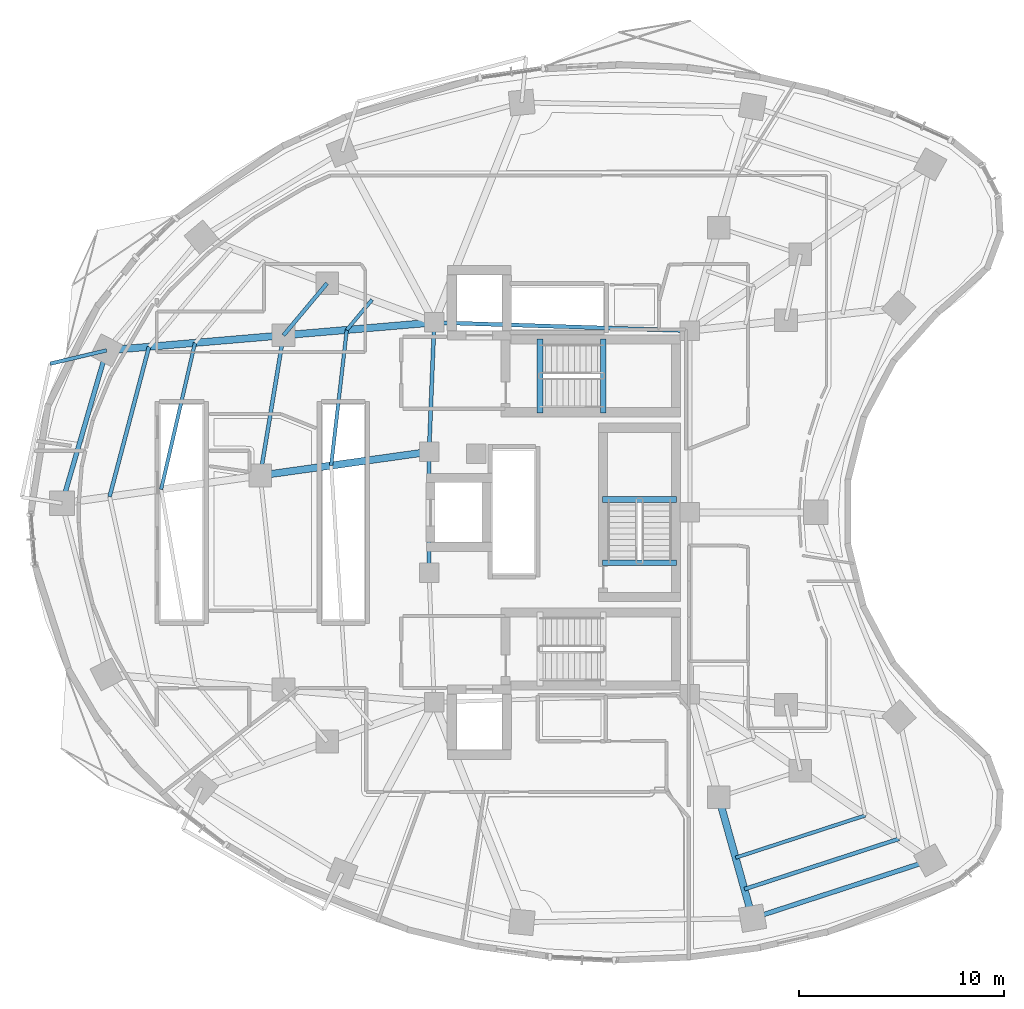
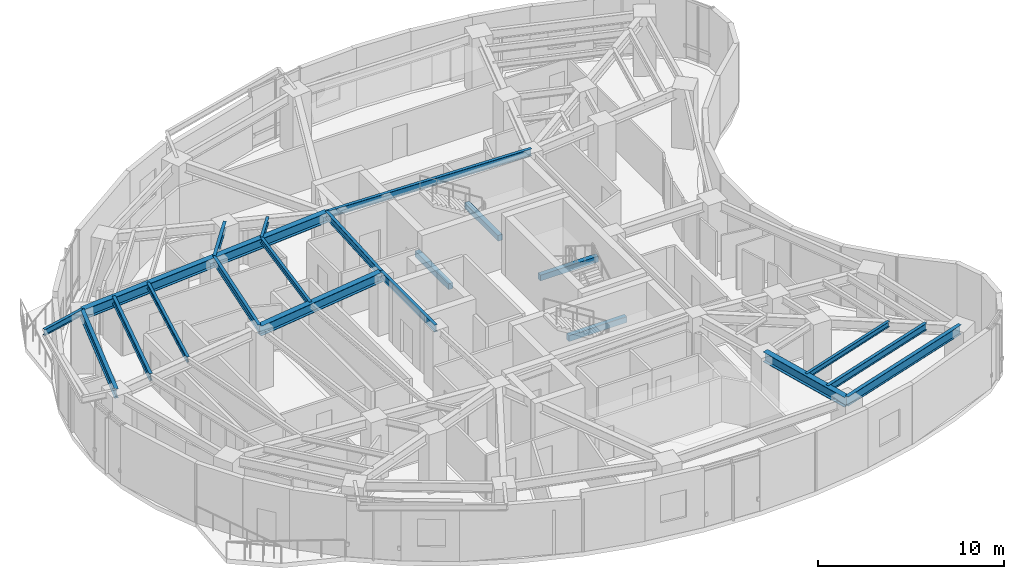
# One storey, part 3 of 15: 22 beams.
"""IFC4 building model written with IfcOpenShell, lengths in metres."""

from ifc_helpers import new_model, si_unit, direction, frame, origin, origin_2d, place, context, subcontext, project, spatial, rectangle, i_section, extrude, material, material_profile, profile_set, type_object, element, save


model = new_model("IFC4")

# Units and contexts
model_context = context("Model", 3, precision=1e-05, world=origin(), true_north=direction((0.0, 1.0)))
body_context = subcontext(model_context, "Body", "Model", "MODEL_VIEW")
ifc_project = project(units=[si_unit("LENGTHUNIT", "METRE"), si_unit("AREAUNIT", "SQUARE_METRE"), si_unit("VOLUMEUNIT", "CUBIC_METRE"), si_unit("PLANEANGLEUNIT", "RADIAN"), si_unit("MASSUNIT", "GRAM", prefix="KILO")], contexts=[model_context])

# Site, building, storey
site_placement = place(None, origin())
site = spatial("IfcSite", under=ifc_project, at=site_placement, CompositionType="ELEMENT")
building_placement = place(site_placement, origin())
building = spatial("IfcBuilding", under=site, at=building_placement, Name="Korentha Bioscience Tower", CompositionType="ELEMENT")
storey_placement = place(building_placement, frame((0.0, 0.0, 115.199951171875)))
storey = spatial("IfcBuildingStorey", under=building, at=storey_placement, Name="L26", CompositionType="ELEMENT", Elevation=115.199951171875)

# Beams
ifc_material_1 = material(Name="Concrete C50", Category="concrete")
ifc_material_profile_1 = material_profile(ifc_material_1, rectangle(XDim=0.280029296875, YDim=0.3798828125, at=origin_2d()), Name="Concrete C50")
ifc_profile_set_1 = profile_set([ifc_material_profile_1], Name="Concrete C50 (ST-HB380)")
beam_type_1 = type_object("IfcBeamType", Name="Concrete Stair Header Beam RC 280x380", PredefinedType="BEAM", material=ifc_profile_set_1)
for number, where, z_axis, x_axis, name in (
    (1, (30.25, 31.85009765625, -0.18994140625), (0.0, 1.0, 0.0), (-1.0, 0.0, 0.0), "L26 ST-1 Concrete Stair Header Beam"),
    (2, (33.330078125, 31.85009765625, 1.91015625), (0.0, 1.0, 0.0), (-1.0, 0.0, 0.0), "L26 ST-1 Half-Landing Header Beam 1"),
    (3, (36.89990234375, 24.550048828125, -0.18994140625), (-1.0, 0.0, 0.0), (0.0, -1.0, 0.0), "L26 ST-3 Concrete Stair Header Beam"),
    (4, (36.89990234375, 27.6298828125, 1.91015625), (-1.0, 0.0, 0.0), (0.0, -1.0, 0.0), "L26 ST-3 Half-Landing Header Beam 1"),
):
    element("IfcBeam", number, at=place(storey_placement, frame(where, z_axis=z_axis, x_axis=x_axis)), inside=storey, type_object=beam_type_1, Name=name, PredefinedType="BEAM", context=body_context, shape_type="SweptSolid", body=[
        extrude(rectangle(XDim=0.280029296875, YDim=0.3798828125, at=origin_2d()), origin(), (0.0, 0.0, 1.0), 3.599853515625),
    ])
ifc_material_2 = material(Name="Steel S355", Category="steel")
ifc_material_profile_2 = material_profile(ifc_material_2, i_section(OverallWidth=0.18994140625, OverallDepth=0.45703125, WebThickness=0.009033203125, FlangeThickness=0.014404296875, at=origin_2d()), Name="Steel S355")
ifc_profile_set_2 = profile_set([ifc_material_profile_2], Name="Steel S355 (MB-460)")
beam_type_2 = type_object("IfcBeamType", Name="Mid-Ring Tie Girder W460x74", PredefinedType="BEAM", material=ifc_profile_set_2)
beam_1_placement = place(storey_placement, frame((19.882568359375, 38.158935546875, 3.671630859375), z_axis=(-0.642121371708, -0.766602989817, 0.0), x_axis=(0.766602989817, -0.642121371708, 0.0)))
element("IfcBeam", 5, at=beam_1_placement, inside=storey, type_object=beam_type_2, Name="L26 Mid-Ring Tie Girder 05", PredefinedType="BEAM", context=body_context, shape_type="SweptSolid", body=[
    extrude(i_section(OverallWidth=0.18994140625, OverallDepth=0.45703125, WebThickness=0.009033203125, FlangeThickness=0.014404296875, at=origin_2d()), origin(), (0.0, 0.0, 1.0), 3.306640625),
])
beam_2_placement = place(storey_placement, frame((17.75927734375, 35.6240234375, 3.671630859375), z_axis=(-0.163580878592, -0.986529926641, 0.0), x_axis=(0.986529926641, -0.163580878592, 0.0)))
element("IfcBeam", 6, at=beam_2_placement, inside=storey, type_object=beam_type_2, Name="L26 Mid-Ring Tie Girder 06", PredefinedType="BEAM", context=body_context, shape_type="SweptSolid", body=[
    extrude(i_section(OverallWidth=0.18994140625, OverallDepth=0.45703125, WebThickness=0.009033203125, FlangeThickness=0.014404296875, at=origin_2d()), origin(), (0.0, 0.0, 1.0), 6.920654296875),
])
beam_3_placement = place(storey_placement, frame((37.550048828125, 35.85009765625, 3.671630859375), z_axis=(-0.999484526071, 0.032104238723, 0.0), x_axis=(-0.032104238723, -0.999484526071, 0.0)))
element("IfcBeam", 7, at=beam_3_placement, inside=storey, type_object=beam_type_2, Name="L26 Core Ring Tie Girder 01", PredefinedType="BEAM", context=body_context, shape_type="SweptSolid", body=[
    extrude(i_section(OverallWidth=0.18994140625, OverallDepth=0.45703125, WebThickness=0.009033203125, FlangeThickness=0.014404296875, at=origin_2d()), origin(), (0.0, 0.0, 1.0), 12.456298828125),
])
beam_4_placement = place(storey_placement, frame((25.10009765625, 36.25, 3.671630859375), z_axis=(-0.039651025576, -0.999213588864, 0.0), x_axis=(0.999213588864, -0.039651025576, 0.0)))
element("IfcBeam", 8, at=beam_4_placement, inside=storey, type_object=beam_type_2, Name="L26 Core Ring Tie Girder 02", PredefinedType="BEAM", context=body_context, shape_type="SweptSolid", body=[
    extrude(i_section(OverallWidth=0.18994140625, OverallDepth=0.45703125, WebThickness=0.009033203125, FlangeThickness=0.014404296875, at=origin_2d()), origin(), (0.0, 0.0, 1.0), 6.304931640625),
])
beam_5_placement = place(storey_placement, frame((24.85009765625, 29.949951171875, 3.671630859375), z_axis=(0.0, -1.0, 0.0), x_axis=(1.0, 0.0, 0.0)))
element("IfcBeam", 9, at=beam_5_placement, inside=storey, type_object=beam_type_2, Name="L26 Core Ring Tie Girder 03", PredefinedType="BEAM", context=body_context, shape_type="SweptSolid", body=[
    extrude(i_section(OverallWidth=0.18994140625, OverallDepth=0.45703125, WebThickness=0.009033203125, FlangeThickness=0.014404296875, at=origin_2d()), origin(), (0.0, 0.0, 1.0), 5.89990234375),
])
ifc_material_profile_3 = material_profile(ifc_material_2, i_section(OverallWidth=0.22802734375, OverallDepth=0.60791015625, WebThickness=0.01123046875, FlangeThickness=0.017333984375, at=origin_2d()), Name="Steel S355")
ifc_profile_set_3 = profile_set([ifc_material_profile_3], Name="Steel S355 (SB-610)")
beam_type_3 = type_object("IfcBeamType", Name="Perimeter Ring Spandrel Girder W610x113", PredefinedType="SPANDREL", material=ifc_profile_set_3)
beam_6_placement = place(storey_placement, frame((9.141845703125, 34.889404296875, 3.595947265625), z_axis=(-0.279486251653, -0.960149694129, 0.0), x_axis=(0.960149694129, -0.279486251653, 0.0)))
element("IfcBeam", 10, at=beam_6_placement, inside=storey, type_object=beam_type_3, Name="L26 Perimeter Spandrel Girder 06", PredefinedType="SPANDREL", context=body_context, shape_type="SweptSolid", body=[
    extrude(i_section(OverallWidth=0.22802734375, OverallDepth=0.60791015625, WebThickness=0.01123046875, FlangeThickness=0.017333984375, at=origin_2d()), origin(), (0.0, 0.0, 1.0), 7.756103515625),
])
beam_7_placement = place(storey_placement, frame((40.604248046875, 7.235107421875, 3.595947265625), z_axis=(0.950867758759, 0.309597327755, 0.0), x_axis=(-0.309597327755, 0.950867758759, 0.0)))
element("IfcBeam", 11, at=beam_7_placement, inside=storey, type_object=beam_type_3, Name="L26 Perimeter Spandrel Girder 12", PredefinedType="SPANDREL", context=body_context, shape_type="SweptSolid", body=[
    extrude(i_section(OverallWidth=0.22802734375, OverallDepth=0.60791015625, WebThickness=0.01123046875, FlangeThickness=0.017333984375, at=origin_2d()), origin(), (0.0, 0.0, 1.0), 9.101806640625),
])
ifc_material_profile_4 = material_profile(ifc_material_2, i_section(OverallWidth=0.18994140625, OverallDepth=0.45703125, WebThickness=0.009033203125, FlangeThickness=0.014404296875, at=origin_2d()), Name="Steel S355")
ifc_profile_set_4 = profile_set([ifc_material_profile_4], Name="Steel S355 (RB-460)")
beam_type_4 = type_object("IfcBeamType", Name="Radial Laboratory Beam W460x74", PredefinedType="BEAM", material=ifc_profile_set_4)
beam_8_placement = place(storey_placement, frame((11.2099609375, 35.065673828125, 3.671630859375), z_axis=(-0.254294231014, -0.967126901742, 0.0), x_axis=(0.967126901742, -0.254294231014, 0.0)))
element("IfcBeam", 12, at=beam_8_placement, inside=storey, type_object=beam_type_4, Name="L26 Secondary Floor Beam JSTO-06", PredefinedType="BEAM", context=body_context, shape_type="SweptSolid", body=[
    extrude(i_section(OverallWidth=0.18994140625, OverallDepth=0.45703125, WebThickness=0.009033203125, FlangeThickness=0.014404296875, at=origin_2d()), origin(), (0.0, 0.0, 1.0), 7.546142578125),
])
beam_9_placement = place(storey_placement, frame((40.20849609375, 8.64990234375, 3.671630859375), z_axis=(0.950866789802, 0.3096003037, 0.0), x_axis=(-0.3096003037, 0.950866789802, 0.0)))
element("IfcBeam", 13, at=beam_9_placement, inside=storey, type_object=beam_type_4, Name="L26 Secondary Floor Beam JSTO-12", PredefinedType="BEAM", context=body_context, shape_type="SweptSolid", body=[
    extrude(i_section(OverallWidth=0.18994140625, OverallDepth=0.45703125, WebThickness=0.009033203125, FlangeThickness=0.014404296875, at=origin_2d()), origin(), (0.0, 0.0, 1.0), 7.921875),
])
ifc_material_profile_5 = material_profile(ifc_material_2, i_section(OverallWidth=0.35009765625, OverallDepth=0.64990234375, WebThickness=0.01611328125, FlangeThickness=0.02490234375, at=origin_2d()), Name="Steel S355")
ifc_profile_set_5 = profile_set([ifc_material_profile_5], Name="Steel S355 (RB-650)")
beam_type_5 = type_object("IfcBeamType", Name="Radial Laboratory Girder CVS 650x208", PredefinedType="BEAM", material=ifc_profile_set_5)
beam_10_placement = place(storey_placement, frame((25.10009765625, 36.25, 3.574951171875), z_axis=(-0.996383934197, -0.084965026183, 0.0), x_axis=(0.084965026183, -0.996383934197, 0.0)))
element("IfcBeam", 14, at=beam_10_placement, inside=storey, type_object=beam_type_5, Name="L26 Inner Radial Girder 06", PredefinedType="BEAM", context=body_context, shape_type="SweptSolid", body=[
    extrude(i_section(OverallWidth=0.35009765625, OverallDepth=0.64990234375, WebThickness=0.01611328125, FlangeThickness=0.02490234375, at=origin_2d()), origin(), (0.0, 0.0, 1.0), 7.367431640625),
])
beam_11_placement = place(storey_placement, frame((17.75927734375, 35.6240234375, 3.574951171875), z_axis=(-0.996386071548, -0.084939957767, 0.0), x_axis=(0.084939957767, -0.996386071548, 0.0)))
element("IfcBeam", 15, at=beam_11_placement, inside=storey, type_object=beam_type_5, Name="L26 Outer Radial Girder 06", PredefinedType="BEAM", context=body_context, shape_type="SweptSolid", body=[
    extrude(i_section(OverallWidth=0.35009765625, OverallDepth=0.64990234375, WebThickness=0.01611328125, FlangeThickness=0.02490234375, at=origin_2d()), origin(), (0.0, 0.0, 1.0), 8.648681640625),
])
beam_12_placement = place(storey_placement, frame((24.85009765625, 29.949951171875, 3.574951171875), z_axis=(-0.990306752817, -0.13889757134, 0.0), x_axis=(0.13889757134, -0.990306752817, 0.0)))
element("IfcBeam", 16, at=beam_12_placement, inside=storey, type_object=beam_type_5, Name="L26 Inner Radial Girder 07", PredefinedType="BEAM", context=body_context, shape_type="SweptSolid", body=[
    extrude(i_section(OverallWidth=0.35009765625, OverallDepth=0.64990234375, WebThickness=0.01611328125, FlangeThickness=0.02490234375, at=origin_2d()), origin(), (0.0, 0.0, 1.0), 8.303466796875),
])
beam_13_placement = place(storey_placement, frame((38.954833984375, 13.129150390625, 3.574951171875), z_axis=(0.269490843458, -0.963002951861, 0.0), x_axis=(0.963002951861, 0.269490843458, 0.0)))
element("IfcBeam", 17, at=beam_13_placement, inside=storey, type_object=beam_type_5, Name="L26 Outer Radial Girder 12", PredefinedType="BEAM", context=body_context, shape_type="SweptSolid", body=[
    extrude(i_section(OverallWidth=0.35009765625, OverallDepth=0.64990234375, WebThickness=0.01611328125, FlangeThickness=0.02490234375, at=origin_2d()), origin(), (0.0, 0.0, 1.0), 6.120361328125),
])
ifc_material_profile_6 = material_profile(ifc_material_2, i_section(OverallWidth=0.1708984375, OverallDepth=0.35498046875, WebThickness=0.007080078125, FlangeThickness=0.01171875, at=origin_2d()), Name="Steel S355")
ifc_profile_set_6 = profile_set([ifc_material_profile_6], Name="Steel S355 (JB-360)")
beam_type_6 = type_object("IfcBeamType", Name="Secondary Laboratory Joist W360x51", PredefinedType="JOIST", material=ifc_profile_set_6)
beam_14_placement = place(storey_placement, frame((22.073974609375, 37.357177734375, 3.72265625), z_axis=(-0.64218549873, -0.766549271229, 0.0), x_axis=(0.766549271229, -0.64218549873, 0.0)))
element("IfcBeam", 18, at=beam_14_placement, inside=storey, type_object=beam_type_6, Name="L26 Inner Bay Joist 05", PredefinedType="JOIST", context=body_context, shape_type="SweptSolid", body=[
    extrude(i_section(OverallWidth=0.1708984375, OverallDepth=0.35498046875, WebThickness=0.007080078125, FlangeThickness=0.01171875, at=origin_2d()), origin(), (0.0, 0.0, 1.0), 1.91796875),
])
beam_15_placement = place(storey_placement, frame((13.450439453125, 35.256591796875, 3.72265625), z_axis=(-0.225236780605, -0.974304055551, 0.0), x_axis=(0.974304055551, -0.225236780605, 0.0)))
element("IfcBeam", 19, at=beam_15_placement, inside=storey, type_object=beam_type_6, Name="L26 Secondary Floor Beam JST-06", PredefinedType="JOIST", context=body_context, shape_type="SweptSolid", body=[
    extrude(i_section(OverallWidth=0.1708984375, OverallDepth=0.35498046875, WebThickness=0.007080078125, FlangeThickness=0.01171875, at=origin_2d()), origin(), (0.0, 0.0, 1.0), 7.3251953125),
])
beam_16_placement = place(storey_placement, frame((20.84228515625, 35.886962890625, 3.72265625), z_axis=(-0.114512623722, -0.993421793101, 0.0), x_axis=(0.993421793101, -0.114512623722, 0.0)))
element("IfcBeam", 20, at=beam_16_placement, inside=storey, type_object=beam_type_6, Name="L26 Inner Bay Joist 06", PredefinedType="JOIST", context=body_context, shape_type="SweptSolid", body=[
    extrude(i_section(OverallWidth=0.1708984375, OverallDepth=0.35498046875, WebThickness=0.007080078125, FlangeThickness=0.01171875, at=origin_2d()), origin(), (0.0, 0.0, 1.0), 6.649658203125),
])
beam_17_placement = place(storey_placement, frame((39.779541015625, 10.18212890625, 3.72265625), z_axis=(0.950864890997, 0.309606135387, 0.0), x_axis=(-0.309606135387, 0.950864890997, 0.0)))
element("IfcBeam", 21, at=beam_17_placement, inside=storey, type_object=beam_type_6, Name="L26 Secondary Floor Beam JST-12", PredefinedType="JOIST", context=body_context, shape_type="SweptSolid", body=[
    extrude(i_section(OverallWidth=0.1708984375, OverallDepth=0.35498046875, WebThickness=0.007080078125, FlangeThickness=0.01171875, at=origin_2d()), origin(), (0.0, 0.0, 1.0), 6.644287109375),
])
ifc_material_profile_7 = material_profile(ifc_material_2, i_section(OverallWidth=0.177978515625, OverallDepth=0.406982421875, WebThickness=0.0078125, FlangeThickness=0.0126953125, at=origin_2d()), Name="Steel S355")
ifc_profile_set_7 = profile_set([ifc_material_profile_7], Name="Steel S355 (CB-410)")
beam_type_7 = type_object("IfcBeamType", Name="Sun-Ledge Cantilever Beam W410x60", PredefinedType="BEAM", material=ifc_profile_set_7)
beam_18_placement = place(storey_placement, frame((9.141845703125, 34.889404296875, 3.698486328125), z_axis=(-0.973303545012, -0.229521696725, 0.0), x_axis=(0.229521696725, -0.973303545012, 0.0)))
element("IfcBeam", 22, at=beam_18_placement, inside=storey, type_object=beam_type_7, Name="L26 Balcony Cantilever Bracket A-L27-02", PredefinedType="BEAM", context=body_context, shape_type="SweptSolid", body=[
    extrude(i_section(OverallWidth=0.177978515625, OverallDepth=0.406982421875, WebThickness=0.0078125, FlangeThickness=0.0126953125, at=origin_2d()), origin(), (0.0, 0.0, 1.0), 2.82080078125),
])

save(model, "model.ifc")
